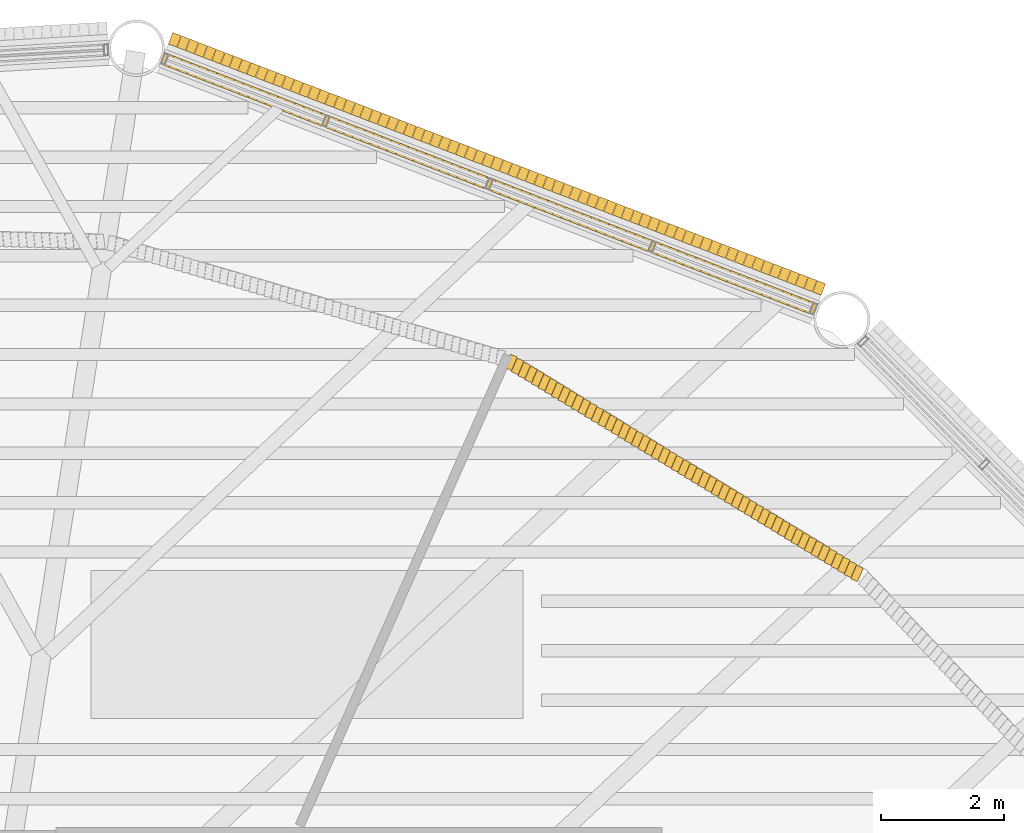
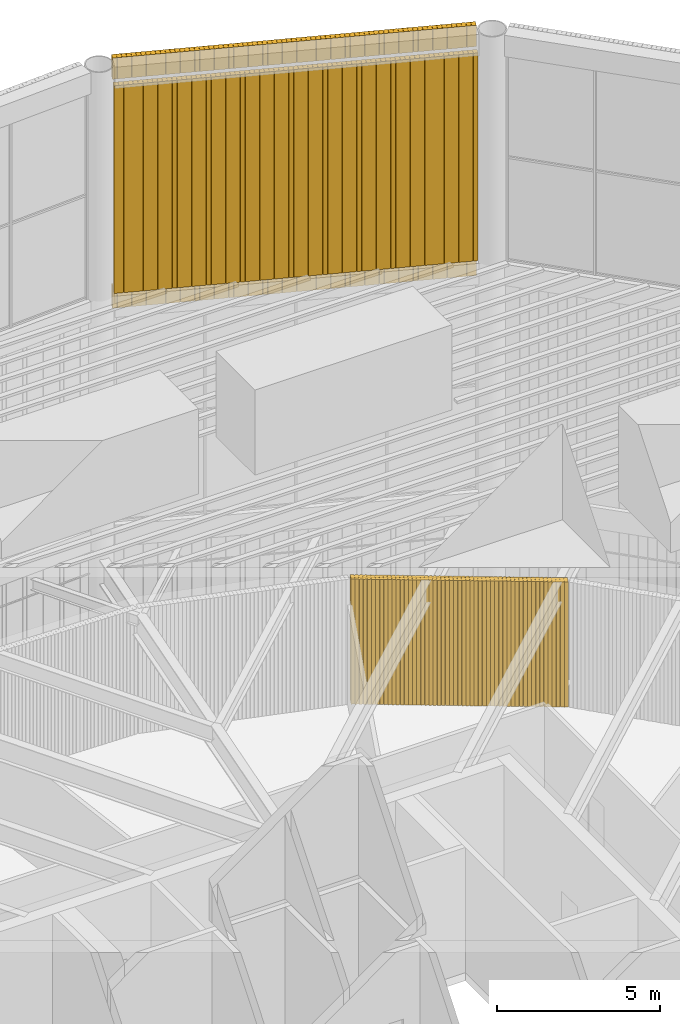
# One storey, part 107 of 117: 3 coverings, 1 shading device.
"""IFC4 building model written with IfcOpenShell, lengths in metres."""

from ifc_helpers import new_model, si_unit, direction, frame, frame_2d, origin, place, context, subcontext, project, spatial, rectangle, composite_profile, extrude, material, type_object, element, save


model = new_model("IFC4")

# Units and contexts
model_context = context("Model", 3, precision=1e-05, world=origin(), true_north=direction((0.0, 1.0)))
body_context = subcontext(model_context, "Body", "Model", "MODEL_VIEW")
ifc_project = project(units=[si_unit("LENGTHUNIT", "METRE"), si_unit("AREAUNIT", "SQUARE_METRE"), si_unit("VOLUMEUNIT", "CUBIC_METRE"), si_unit("PLANEANGLEUNIT", "RADIAN"), si_unit("MASSUNIT", "GRAM", prefix="KILO")], contexts=[model_context])

# Site, building, storey
site_placement = place(None, origin())
site = spatial("IfcSite", under=ifc_project, at=site_placement, CompositionType="ELEMENT")
building_placement = place(site_placement, origin())
building = spatial("IfcBuilding", under=site, at=building_placement, Name="Tarsis Ring Headquarters", CompositionType="ELEMENT")
storey_placement = place(building_placement, frame((0.0, 0.0, 403.60009765625)))
storey = spatial("IfcBuildingStorey", under=building, at=storey_placement, Name="L95", CompositionType="ELEMENT", Elevation=403.60009765625)

# Coverings
ifc_material_1 = material(Name="Terracotta louvre", Category="masonry")
covering_type = type_object("IfcCoveringType", Name="Crown louvre fin", PredefinedType="CLADDING", material=ifc_material_1)
covering_1_placement = place(storey_placement, frame((15.61474609375, 24.791259765625, 13.599853515625), z_axis=(0.0, 0.0, 1.0), x_axis=(-0.933251486172, 0.359201344017, 0.0)))
element("IfcCovering", 1, at=covering_1_placement, inside=storey, type_object=covering_type, Name="Crown louvre fascia M9", PredefinedType="CLADDING", context=body_context, shape_type="SweptSolid", body=[
    extrude(composite_profile([rectangle(XDim=0.14501953125, YDim=0.199951171875, at=frame_2d((0.072509765625, 0.0))), rectangle(XDim=0.14501953125, YDim=0.199951171875, at=frame_2d((0.2236328125, 0.0))), rectangle(XDim=0.14501953125, YDim=0.199951171875, at=frame_2d((0.375, 0.0))), rectangle(XDim=0.14501953125, YDim=0.199951171875, at=frame_2d((0.526123046875, 0.0))), rectangle(XDim=0.14501953125, YDim=0.199951171875, at=frame_2d((0.677490234375, 0.0))), rectangle(XDim=0.14501953125, YDim=0.199951171875, at=frame_2d((0.82861328125, 0.0))), rectangle(XDim=0.14501953125, YDim=0.199951171875, at=frame_2d((0.979736328125, 0.0))), rectangle(XDim=0.14501953125, YDim=0.199951171875, at=frame_2d((1.131103515625, 0.0))), rectangle(XDim=0.14501953125, YDim=0.199951171875, at=frame_2d((1.2822265625, 0.0))), rectangle(XDim=0.14501953125, YDim=0.199951171875, at=frame_2d((1.433349609375, 0.0))), rectangle(XDim=0.14501953125, YDim=0.199951171875, at=frame_2d((1.584716796875, 0.0))), rectangle(XDim=0.14501953125, YDim=0.199951171875, at=frame_2d((1.73583984375, 0.0))), rectangle(XDim=0.14501953125, YDim=0.199951171875, at=frame_2d((1.88720703125, 0.0))), rectangle(XDim=0.14501953125, YDim=0.199951171875, at=frame_2d((2.038330078125, 0.0))), rectangle(XDim=0.14501953125, YDim=0.199951171875, at=frame_2d((2.189453125, 0.0))), rectangle(XDim=0.14501953125, YDim=0.199951171875, at=frame_2d((2.3408203125, 0.0))), rectangle(XDim=0.14501953125, YDim=0.199951171875, at=frame_2d((2.491943359375, 0.0))), rectangle(XDim=0.14501953125, YDim=0.199951171875, at=frame_2d((2.64306640625, 0.0))), rectangle(XDim=0.14501953125, YDim=0.199951171875, at=frame_2d((2.79443359375, 0.0))), rectangle(XDim=0.14501953125, YDim=0.199951171875, at=frame_2d((2.945556640625, 0.0))), rectangle(XDim=0.14501953125, YDim=0.199951171875, at=frame_2d((3.096923828125, 0.0))), rectangle(XDim=0.14501953125, YDim=0.199951171875, at=frame_2d((3.248046875, 0.0))), rectangle(XDim=0.14501953125, YDim=0.199951171875, at=frame_2d((3.399169921875, 0.0))), rectangle(XDim=0.14501953125, YDim=0.199951171875, at=frame_2d((3.550537109375, 0.0))), rectangle(XDim=0.14501953125, YDim=0.199951171875, at=frame_2d((3.70166015625, 0.0))), rectangle(XDim=0.14501953125, YDim=0.199951171875, at=frame_2d((3.852783203125, 0.0))), rectangle(XDim=0.14501953125, YDim=0.199951171875, at=frame_2d((4.004150390625, 0.0))), rectangle(XDim=0.14501953125, YDim=0.199951171875, at=frame_2d((4.1552734375, 0.0))), rectangle(XDim=0.14501953125, YDim=0.199951171875, at=frame_2d((4.306640625, 0.0))), rectangle(XDim=0.14501953125, YDim=0.199951171875, at=frame_2d((4.457763671875, 0.0))), rectangle(XDim=0.14501953125, YDim=0.199951171875, at=frame_2d((4.60888671875, 0.0))), rectangle(XDim=0.14501953125, YDim=0.199951171875, at=frame_2d((4.76025390625, 0.0))), rectangle(XDim=0.14501953125, YDim=0.199951171875, at=frame_2d((4.911376953125, 0.0))), rectangle(XDim=0.14501953125, YDim=0.199951171875, at=frame_2d((5.0625, 0.0))), rectangle(XDim=0.14501953125, YDim=0.199951171875, at=frame_2d((5.2138671875, 0.0))), rectangle(XDim=0.14501953125, YDim=0.199951171875, at=frame_2d((5.364990234375, 0.0))), rectangle(XDim=0.14501953125, YDim=0.199951171875, at=frame_2d((5.516357421875, 0.0))), rectangle(XDim=0.14501953125, YDim=0.199951171875, at=frame_2d((5.66748046875, 0.0))), rectangle(XDim=0.14501953125, YDim=0.199951171875, at=frame_2d((5.818603515625, 0.0))), rectangle(XDim=0.14501953125, YDim=0.199951171875, at=frame_2d((5.969970703125, 0.0))), rectangle(XDim=0.14501953125, YDim=0.199951171875, at=frame_2d((6.12109375, 0.0))), rectangle(XDim=0.14501953125, YDim=0.199951171875, at=frame_2d((6.2724609375, 0.0))), rectangle(XDim=0.14501953125, YDim=0.199951171875, at=frame_2d((6.423583984375, 0.0))), rectangle(XDim=0.14501953125, YDim=0.199951171875, at=frame_2d((6.57470703125, 0.0))), rectangle(XDim=0.14501953125, YDim=0.199951171875, at=frame_2d((6.72607421875, 0.0))), rectangle(XDim=0.14501953125, YDim=0.199951171875, at=frame_2d((6.877197265625, 0.0))), rectangle(XDim=0.14501953125, YDim=0.199951171875, at=frame_2d((7.0283203125, 0.0))), rectangle(XDim=0.14501953125, YDim=0.199951171875, at=frame_2d((7.1796875, 0.0))), rectangle(XDim=0.14501953125, YDim=0.199951171875, at=frame_2d((7.330810546875, 0.0))), rectangle(XDim=0.14501953125, YDim=0.199951171875, at=frame_2d((7.482177734375, 0.0))), rectangle(XDim=0.14501953125, YDim=0.199951171875, at=frame_2d((7.63330078125, 0.0))), rectangle(XDim=0.14501953125, YDim=0.199951171875, at=frame_2d((7.784423828125, 0.0))), rectangle(XDim=0.14501953125, YDim=0.199951171875, at=frame_2d((7.935791015625, 0.0))), rectangle(XDim=0.14501953125, YDim=0.199951171875, at=frame_2d((8.0869140625, 0.0))), rectangle(XDim=0.14501953125, YDim=0.199951171875, at=frame_2d((8.238037109375, 0.0))), rectangle(XDim=0.14501953125, YDim=0.199951171875, at=frame_2d((8.389404296875, 0.0))), rectangle(XDim=0.14501953125, YDim=0.199951171875, at=frame_2d((8.54052734375, 0.0))), rectangle(XDim=0.14501953125, YDim=0.199951171875, at=frame_2d((8.69189453125, 0.0))), rectangle(XDim=0.14501953125, YDim=0.199951171875, at=frame_2d((8.843017578125, 0.0))), rectangle(XDim=0.14501953125, YDim=0.199951171875, at=frame_2d((8.994140625, 0.0))), rectangle(XDim=0.14501953125, YDim=0.199951171875, at=frame_2d((9.1455078125, 0.0))), rectangle(XDim=0.14501953125, YDim=0.199951171875, at=frame_2d((9.296630859375, 0.0))), rectangle(XDim=0.14501953125, YDim=0.199951171875, at=frame_2d((9.44775390625, 0.0))), rectangle(XDim=0.14501953125, YDim=0.199951171875, at=frame_2d((9.59912109375, 0.0))), rectangle(XDim=0.14501953125, YDim=0.199951171875, at=frame_2d((9.750244140625, 0.0))), rectangle(XDim=0.14501953125, YDim=0.199951171875, at=frame_2d((9.901611328125, 0.0))), rectangle(XDim=0.14501953125, YDim=0.199951171875, at=frame_2d((10.052734375, 0.0))), rectangle(XDim=0.14501953125, YDim=0.199951171875, at=frame_2d((10.203857421875, 0.0))), rectangle(XDim=0.14501953125, YDim=0.199951171875, at=frame_2d((10.355224609375, 0.0))), rectangle(XDim=0.14501953125, YDim=0.199951171875, at=frame_2d((10.50634765625, 0.0))), rectangle(XDim=0.14501953125, YDim=0.199951171875, at=frame_2d((10.657470703125, 0.0))), rectangle(XDim=0.14501953125, YDim=0.199951171875, at=frame_2d((10.808837890625, 0.0))), rectangle(XDim=0.14501953125, YDim=0.199951171875, at=frame_2d((10.9599609375, 0.0))), rectangle(XDim=0.14501953125, YDim=0.199951171875, at=frame_2d((11.111328125, 0.0))), rectangle(XDim=0.14501953125, YDim=0.199951171875, at=frame_2d((11.262451171875, 0.0)))]), origin(), (0.0, 0.0, 1.0), 0.800048828125),
])
covering_2_placement = place(storey_placement, frame((15.61474609375, 24.791259765625, 22.199951171875), z_axis=(0.0, 0.0, 1.0), x_axis=(-0.933251486172, 0.359201344017, 0.0)))
element("IfcCovering", 2, at=covering_2_placement, inside=storey, type_object=covering_type, Name="Crown louvre fascia T9", PredefinedType="CLADDING", context=body_context, shape_type="SweptSolid", body=[
    extrude(composite_profile([rectangle(XDim=0.14501953125, YDim=0.199951171875, at=frame_2d((0.072509765625, 0.0))), rectangle(XDim=0.14501953125, YDim=0.199951171875, at=frame_2d((0.2236328125, 0.0))), rectangle(XDim=0.14501953125, YDim=0.199951171875, at=frame_2d((0.375, 0.0))), rectangle(XDim=0.14501953125, YDim=0.199951171875, at=frame_2d((0.526123046875, 0.0))), rectangle(XDim=0.14501953125, YDim=0.199951171875, at=frame_2d((0.677490234375, 0.0))), rectangle(XDim=0.14501953125, YDim=0.199951171875, at=frame_2d((0.82861328125, 0.0))), rectangle(XDim=0.14501953125, YDim=0.199951171875, at=frame_2d((0.979736328125, 0.0))), rectangle(XDim=0.14501953125, YDim=0.199951171875, at=frame_2d((1.131103515625, 0.0))), rectangle(XDim=0.14501953125, YDim=0.199951171875, at=frame_2d((1.2822265625, 0.0))), rectangle(XDim=0.14501953125, YDim=0.199951171875, at=frame_2d((1.433349609375, 0.0))), rectangle(XDim=0.14501953125, YDim=0.199951171875, at=frame_2d((1.584716796875, 0.0))), rectangle(XDim=0.14501953125, YDim=0.199951171875, at=frame_2d((1.73583984375, 0.0))), rectangle(XDim=0.14501953125, YDim=0.199951171875, at=frame_2d((1.88720703125, 0.0))), rectangle(XDim=0.14501953125, YDim=0.199951171875, at=frame_2d((2.038330078125, 0.0))), rectangle(XDim=0.14501953125, YDim=0.199951171875, at=frame_2d((2.189453125, 0.0))), rectangle(XDim=0.14501953125, YDim=0.199951171875, at=frame_2d((2.3408203125, 0.0))), rectangle(XDim=0.14501953125, YDim=0.199951171875, at=frame_2d((2.491943359375, 0.0))), rectangle(XDim=0.14501953125, YDim=0.199951171875, at=frame_2d((2.64306640625, 0.0))), rectangle(XDim=0.14501953125, YDim=0.199951171875, at=frame_2d((2.79443359375, 0.0))), rectangle(XDim=0.14501953125, YDim=0.199951171875, at=frame_2d((2.945556640625, 0.0))), rectangle(XDim=0.14501953125, YDim=0.199951171875, at=frame_2d((3.096923828125, 0.0))), rectangle(XDim=0.14501953125, YDim=0.199951171875, at=frame_2d((3.248046875, 0.0))), rectangle(XDim=0.14501953125, YDim=0.199951171875, at=frame_2d((3.399169921875, 0.0))), rectangle(XDim=0.14501953125, YDim=0.199951171875, at=frame_2d((3.550537109375, 0.0))), rectangle(XDim=0.14501953125, YDim=0.199951171875, at=frame_2d((3.70166015625, 0.0))), rectangle(XDim=0.14501953125, YDim=0.199951171875, at=frame_2d((3.852783203125, 0.0))), rectangle(XDim=0.14501953125, YDim=0.199951171875, at=frame_2d((4.004150390625, 0.0))), rectangle(XDim=0.14501953125, YDim=0.199951171875, at=frame_2d((4.1552734375, 0.0))), rectangle(XDim=0.14501953125, YDim=0.199951171875, at=frame_2d((4.306640625, 0.0))), rectangle(XDim=0.14501953125, YDim=0.199951171875, at=frame_2d((4.457763671875, 0.0))), rectangle(XDim=0.14501953125, YDim=0.199951171875, at=frame_2d((4.60888671875, 0.0))), rectangle(XDim=0.14501953125, YDim=0.199951171875, at=frame_2d((4.76025390625, 0.0))), rectangle(XDim=0.14501953125, YDim=0.199951171875, at=frame_2d((4.911376953125, 0.0))), rectangle(XDim=0.14501953125, YDim=0.199951171875, at=frame_2d((5.0625, 0.0))), rectangle(XDim=0.14501953125, YDim=0.199951171875, at=frame_2d((5.2138671875, 0.0))), rectangle(XDim=0.14501953125, YDim=0.199951171875, at=frame_2d((5.364990234375, 0.0))), rectangle(XDim=0.14501953125, YDim=0.199951171875, at=frame_2d((5.516357421875, 0.0))), rectangle(XDim=0.14501953125, YDim=0.199951171875, at=frame_2d((5.66748046875, 0.0))), rectangle(XDim=0.14501953125, YDim=0.199951171875, at=frame_2d((5.818603515625, 0.0))), rectangle(XDim=0.14501953125, YDim=0.199951171875, at=frame_2d((5.969970703125, 0.0))), rectangle(XDim=0.14501953125, YDim=0.199951171875, at=frame_2d((6.12109375, 0.0))), rectangle(XDim=0.14501953125, YDim=0.199951171875, at=frame_2d((6.2724609375, 0.0))), rectangle(XDim=0.14501953125, YDim=0.199951171875, at=frame_2d((6.423583984375, 0.0))), rectangle(XDim=0.14501953125, YDim=0.199951171875, at=frame_2d((6.57470703125, 0.0))), rectangle(XDim=0.14501953125, YDim=0.199951171875, at=frame_2d((6.72607421875, 0.0))), rectangle(XDim=0.14501953125, YDim=0.199951171875, at=frame_2d((6.877197265625, 0.0))), rectangle(XDim=0.14501953125, YDim=0.199951171875, at=frame_2d((7.0283203125, 0.0))), rectangle(XDim=0.14501953125, YDim=0.199951171875, at=frame_2d((7.1796875, 0.0))), rectangle(XDim=0.14501953125, YDim=0.199951171875, at=frame_2d((7.330810546875, 0.0))), rectangle(XDim=0.14501953125, YDim=0.199951171875, at=frame_2d((7.482177734375, 0.0))), rectangle(XDim=0.14501953125, YDim=0.199951171875, at=frame_2d((7.63330078125, 0.0))), rectangle(XDim=0.14501953125, YDim=0.199951171875, at=frame_2d((7.784423828125, 0.0))), rectangle(XDim=0.14501953125, YDim=0.199951171875, at=frame_2d((7.935791015625, 0.0))), rectangle(XDim=0.14501953125, YDim=0.199951171875, at=frame_2d((8.0869140625, 0.0))), rectangle(XDim=0.14501953125, YDim=0.199951171875, at=frame_2d((8.238037109375, 0.0))), rectangle(XDim=0.14501953125, YDim=0.199951171875, at=frame_2d((8.389404296875, 0.0))), rectangle(XDim=0.14501953125, YDim=0.199951171875, at=frame_2d((8.54052734375, 0.0))), rectangle(XDim=0.14501953125, YDim=0.199951171875, at=frame_2d((8.69189453125, 0.0))), rectangle(XDim=0.14501953125, YDim=0.199951171875, at=frame_2d((8.843017578125, 0.0))), rectangle(XDim=0.14501953125, YDim=0.199951171875, at=frame_2d((8.994140625, 0.0))), rectangle(XDim=0.14501953125, YDim=0.199951171875, at=frame_2d((9.1455078125, 0.0))), rectangle(XDim=0.14501953125, YDim=0.199951171875, at=frame_2d((9.296630859375, 0.0))), rectangle(XDim=0.14501953125, YDim=0.199951171875, at=frame_2d((9.44775390625, 0.0))), rectangle(XDim=0.14501953125, YDim=0.199951171875, at=frame_2d((9.59912109375, 0.0))), rectangle(XDim=0.14501953125, YDim=0.199951171875, at=frame_2d((9.750244140625, 0.0))), rectangle(XDim=0.14501953125, YDim=0.199951171875, at=frame_2d((9.901611328125, 0.0))), rectangle(XDim=0.14501953125, YDim=0.199951171875, at=frame_2d((10.052734375, 0.0))), rectangle(XDim=0.14501953125, YDim=0.199951171875, at=frame_2d((10.203857421875, 0.0))), rectangle(XDim=0.14501953125, YDim=0.199951171875, at=frame_2d((10.355224609375, 0.0))), rectangle(XDim=0.14501953125, YDim=0.199951171875, at=frame_2d((10.50634765625, 0.0))), rectangle(XDim=0.14501953125, YDim=0.199951171875, at=frame_2d((10.657470703125, 0.0))), rectangle(XDim=0.14501953125, YDim=0.199951171875, at=frame_2d((10.808837890625, 0.0))), rectangle(XDim=0.14501953125, YDim=0.199951171875, at=frame_2d((10.9599609375, 0.0))), rectangle(XDim=0.14501953125, YDim=0.199951171875, at=frame_2d((11.111328125, 0.0))), rectangle(XDim=0.14501953125, YDim=0.199951171875, at=frame_2d((11.262451171875, 0.0)))]), origin(), (0.0, 0.0, 1.0), 0.800048828125),
])
covering_3_placement = place(storey_placement, frame((15.489013671875, 24.464599609375, 14.39990234375), z_axis=(0.0, 0.0, 1.0), x_axis=(-0.933251486172, 0.359201344017, 0.0)))
element("IfcCovering", 3, at=covering_3_placement, inside=storey, type_object=covering_type, Name="Crown louvre U9", PredefinedType="CLADDING", context=body_context, shape_type="SweptSolid", body=[
    extrude(composite_profile([rectangle(XDim=0.14501953125, YDim=0.199951171875, at=frame_2d((0.072509765625, 0.0))), rectangle(XDim=0.14501953125, YDim=0.199951171875, at=frame_2d((0.2236328125, 0.0))), rectangle(XDim=0.14501953125, YDim=0.199951171875, at=frame_2d((0.375, 0.0))), rectangle(XDim=0.14501953125, YDim=0.199951171875, at=frame_2d((0.526123046875, 0.0))), rectangle(XDim=0.14501953125, YDim=0.199951171875, at=frame_2d((0.677490234375, 0.0))), rectangle(XDim=0.14501953125, YDim=0.199951171875, at=frame_2d((0.82861328125, 0.0))), rectangle(XDim=0.14501953125, YDim=0.199951171875, at=frame_2d((0.979736328125, 0.0))), rectangle(XDim=0.14501953125, YDim=0.199951171875, at=frame_2d((1.131103515625, 0.0))), rectangle(XDim=0.14501953125, YDim=0.199951171875, at=frame_2d((1.2822265625, 0.0))), rectangle(XDim=0.14501953125, YDim=0.199951171875, at=frame_2d((1.433349609375, 0.0))), rectangle(XDim=0.14501953125, YDim=0.199951171875, at=frame_2d((1.584716796875, 0.0))), rectangle(XDim=0.14501953125, YDim=0.199951171875, at=frame_2d((1.73583984375, 0.0))), rectangle(XDim=0.14501953125, YDim=0.199951171875, at=frame_2d((1.88720703125, 0.0))), rectangle(XDim=0.14501953125, YDim=0.199951171875, at=frame_2d((2.038330078125, 0.0))), rectangle(XDim=0.14501953125, YDim=0.199951171875, at=frame_2d((2.189453125, 0.0))), rectangle(XDim=0.14501953125, YDim=0.199951171875, at=frame_2d((2.3408203125, 0.0))), rectangle(XDim=0.14501953125, YDim=0.199951171875, at=frame_2d((2.491943359375, 0.0))), rectangle(XDim=0.14501953125, YDim=0.199951171875, at=frame_2d((2.64306640625, 0.0))), rectangle(XDim=0.14501953125, YDim=0.199951171875, at=frame_2d((2.79443359375, 0.0))), rectangle(XDim=0.14501953125, YDim=0.199951171875, at=frame_2d((2.945556640625, 0.0))), rectangle(XDim=0.14501953125, YDim=0.199951171875, at=frame_2d((3.096923828125, 0.0))), rectangle(XDim=0.14501953125, YDim=0.199951171875, at=frame_2d((3.248046875, 0.0))), rectangle(XDim=0.14501953125, YDim=0.199951171875, at=frame_2d((3.399169921875, 0.0))), rectangle(XDim=0.14501953125, YDim=0.199951171875, at=frame_2d((3.550537109375, 0.0))), rectangle(XDim=0.14501953125, YDim=0.199951171875, at=frame_2d((3.70166015625, 0.0))), rectangle(XDim=0.14501953125, YDim=0.199951171875, at=frame_2d((3.852783203125, 0.0))), rectangle(XDim=0.14501953125, YDim=0.199951171875, at=frame_2d((4.004150390625, 0.0))), rectangle(XDim=0.14501953125, YDim=0.199951171875, at=frame_2d((4.1552734375, 0.0))), rectangle(XDim=0.14501953125, YDim=0.199951171875, at=frame_2d((4.306640625, 0.0))), rectangle(XDim=0.14501953125, YDim=0.199951171875, at=frame_2d((4.457763671875, 0.0))), rectangle(XDim=0.14501953125, YDim=0.199951171875, at=frame_2d((4.60888671875, 0.0))), rectangle(XDim=0.14501953125, YDim=0.199951171875, at=frame_2d((4.76025390625, 0.0))), rectangle(XDim=0.14501953125, YDim=0.199951171875, at=frame_2d((4.911376953125, 0.0))), rectangle(XDim=0.14501953125, YDim=0.199951171875, at=frame_2d((5.0625, 0.0))), rectangle(XDim=0.14501953125, YDim=0.199951171875, at=frame_2d((5.2138671875, 0.0))), rectangle(XDim=0.14501953125, YDim=0.199951171875, at=frame_2d((5.364990234375, 0.0))), rectangle(XDim=0.14501953125, YDim=0.199951171875, at=frame_2d((5.516357421875, 0.0))), rectangle(XDim=0.14501953125, YDim=0.199951171875, at=frame_2d((5.66748046875, 0.0))), rectangle(XDim=0.14501953125, YDim=0.199951171875, at=frame_2d((5.818603515625, 0.0))), rectangle(XDim=0.14501953125, YDim=0.199951171875, at=frame_2d((5.969970703125, 0.0))), rectangle(XDim=0.14501953125, YDim=0.199951171875, at=frame_2d((6.12109375, 0.0))), rectangle(XDim=0.14501953125, YDim=0.199951171875, at=frame_2d((6.2724609375, 0.0))), rectangle(XDim=0.14501953125, YDim=0.199951171875, at=frame_2d((6.423583984375, 0.0))), rectangle(XDim=0.14501953125, YDim=0.199951171875, at=frame_2d((6.57470703125, 0.0))), rectangle(XDim=0.14501953125, YDim=0.199951171875, at=frame_2d((6.72607421875, 0.0))), rectangle(XDim=0.14501953125, YDim=0.199951171875, at=frame_2d((6.877197265625, 0.0))), rectangle(XDim=0.14501953125, YDim=0.199951171875, at=frame_2d((7.0283203125, 0.0))), rectangle(XDim=0.14501953125, YDim=0.199951171875, at=frame_2d((7.1796875, 0.0))), rectangle(XDim=0.14501953125, YDim=0.199951171875, at=frame_2d((7.330810546875, 0.0))), rectangle(XDim=0.14501953125, YDim=0.199951171875, at=frame_2d((7.482177734375, 0.0))), rectangle(XDim=0.14501953125, YDim=0.199951171875, at=frame_2d((7.63330078125, 0.0))), rectangle(XDim=0.14501953125, YDim=0.199951171875, at=frame_2d((7.784423828125, 0.0))), rectangle(XDim=0.14501953125, YDim=0.199951171875, at=frame_2d((7.935791015625, 0.0))), rectangle(XDim=0.14501953125, YDim=0.199951171875, at=frame_2d((8.0869140625, 0.0))), rectangle(XDim=0.14501953125, YDim=0.199951171875, at=frame_2d((8.238037109375, 0.0))), rectangle(XDim=0.14501953125, YDim=0.199951171875, at=frame_2d((8.389404296875, 0.0))), rectangle(XDim=0.14501953125, YDim=0.199951171875, at=frame_2d((8.54052734375, 0.0))), rectangle(XDim=0.14501953125, YDim=0.199951171875, at=frame_2d((8.69189453125, 0.0))), rectangle(XDim=0.14501953125, YDim=0.199951171875, at=frame_2d((8.843017578125, 0.0))), rectangle(XDim=0.14501953125, YDim=0.199951171875, at=frame_2d((8.994140625, 0.0))), rectangle(XDim=0.14501953125, YDim=0.199951171875, at=frame_2d((9.1455078125, 0.0))), rectangle(XDim=0.14501953125, YDim=0.199951171875, at=frame_2d((9.296630859375, 0.0))), rectangle(XDim=0.14501953125, YDim=0.199951171875, at=frame_2d((9.44775390625, 0.0))), rectangle(XDim=0.14501953125, YDim=0.199951171875, at=frame_2d((9.59912109375, 0.0))), rectangle(XDim=0.14501953125, YDim=0.199951171875, at=frame_2d((9.750244140625, 0.0))), rectangle(XDim=0.14501953125, YDim=0.199951171875, at=frame_2d((9.901611328125, 0.0))), rectangle(XDim=0.14501953125, YDim=0.199951171875, at=frame_2d((10.052734375, 0.0))), rectangle(XDim=0.14501953125, YDim=0.199951171875, at=frame_2d((10.203857421875, 0.0))), rectangle(XDim=0.14501953125, YDim=0.199951171875, at=frame_2d((10.355224609375, 0.0))), rectangle(XDim=0.14501953125, YDim=0.199951171875, at=frame_2d((10.50634765625, 0.0))), rectangle(XDim=0.14501953125, YDim=0.199951171875, at=frame_2d((10.657470703125, 0.0))), rectangle(XDim=0.14501953125, YDim=0.199951171875, at=frame_2d((10.808837890625, 0.0))), rectangle(XDim=0.14501953125, YDim=0.199951171875, at=frame_2d((10.9599609375, 0.0))), rectangle(XDim=0.14501953125, YDim=0.199951171875, at=frame_2d((11.111328125, 0.0))), rectangle(XDim=0.14501953125, YDim=0.199951171875, at=frame_2d((11.262451171875, 0.0)))]), origin(), (0.0, 0.0, 1.0), 7.800048828125),
])

# Shading device
ifc_material_2 = material(Name="Aluminium louvre", Category="aluminium")
shading_device_type = type_object("IfcShadingDeviceType", Name="Plant louvre fin", PredefinedType="USERDEFINED", material=ifc_material_2)
shading_device_placement = place(storey_placement, frame((16.226806640625, 20.150390625, 0.0), z_axis=(0.0, 0.0, 1.0), x_axis=(-0.85373383699, 0.520703181752, 0.0)))
element("IfcShadingDevice", 4, at=shading_device_placement, inside=storey, type_object=shading_device_type, Name="Louvre L95-22", ObjectType="Louvre", PredefinedType="USERDEFINED", context=body_context, shape_type="SweptSolid", body=[
    extrude(composite_profile([rectangle(XDim=0.1201171875, YDim=0.239990234375, at=frame_2d((0.076171875, 0.0), x_axis=(0.990268068742, 0.13917310096))), rectangle(XDim=0.1201171875, YDim=0.239990234375, at=frame_2d((0.202392578125, 0.0), x_axis=(0.990268068742, 0.13917310096))), rectangle(XDim=0.1201171875, YDim=0.239990234375, at=frame_2d((0.328857421875, 0.0), x_axis=(0.990268068742, 0.13917310096))), rectangle(XDim=0.1201171875, YDim=0.239990234375, at=frame_2d((0.455078125, 0.0), x_axis=(0.990268068742, 0.13917310096))), rectangle(XDim=0.1201171875, YDim=0.239990234375, at=frame_2d((0.58154296875, 0.0), x_axis=(0.990268068742, 0.13917310096))), rectangle(XDim=0.1201171875, YDim=0.239990234375, at=frame_2d((0.707763671875, 0.0), x_axis=(0.990268068742, 0.13917310096))), rectangle(XDim=0.1201171875, YDim=0.239990234375, at=frame_2d((0.834228515625, 0.0), x_axis=(0.990268068742, 0.13917310096))), rectangle(XDim=0.1201171875, YDim=0.239990234375, at=frame_2d((0.96044921875, 0.0), x_axis=(0.990268068742, 0.13917310096))), rectangle(XDim=0.1201171875, YDim=0.239990234375, at=frame_2d((1.0869140625, 0.0), x_axis=(0.990268068742, 0.13917310096))), rectangle(XDim=0.1201171875, YDim=0.239990234375, at=frame_2d((1.213134765625, 0.0), x_axis=(0.990268068742, 0.13917310096))), rectangle(XDim=0.1201171875, YDim=0.239990234375, at=frame_2d((1.339599609375, 0.0), x_axis=(0.990268068742, 0.13917310096))), rectangle(XDim=0.1201171875, YDim=0.239990234375, at=frame_2d((1.4658203125, 0.0), x_axis=(0.990268068742, 0.13917310096))), rectangle(XDim=0.1201171875, YDim=0.239990234375, at=frame_2d((1.59228515625, 0.0), x_axis=(0.990268068742, 0.13917310096))), rectangle(XDim=0.1201171875, YDim=0.239990234375, at=frame_2d((1.718505859375, 0.0), x_axis=(0.990268068742, 0.13917310096))), rectangle(XDim=0.1201171875, YDim=0.239990234375, at=frame_2d((1.8447265625, 0.0), x_axis=(0.990268068742, 0.13917310096))), rectangle(XDim=0.1201171875, YDim=0.239990234375, at=frame_2d((1.97119140625, 0.0), x_axis=(0.990268068742, 0.13917310096))), rectangle(XDim=0.1201171875, YDim=0.239990234375, at=frame_2d((2.097412109375, 0.0), x_axis=(0.990268068742, 0.13917310096))), rectangle(XDim=0.1201171875, YDim=0.239990234375, at=frame_2d((2.223876953125, 0.0), x_axis=(0.990268068742, 0.13917310096))), rectangle(XDim=0.1201171875, YDim=0.239990234375, at=frame_2d((2.35009765625, 0.0), x_axis=(0.990268068742, 0.13917310096))), rectangle(XDim=0.1201171875, YDim=0.239990234375, at=frame_2d((2.4765625, 0.0), x_axis=(0.990268068742, 0.13917310096))), rectangle(XDim=0.1201171875, YDim=0.239990234375, at=frame_2d((2.602783203125, 0.0), x_axis=(0.990268068742, 0.13917310096))), rectangle(XDim=0.1201171875, YDim=0.239990234375, at=frame_2d((2.729248046875, 0.0), x_axis=(0.990268068742, 0.13917310096))), rectangle(XDim=0.1201171875, YDim=0.239990234375, at=frame_2d((2.85546875, 0.0), x_axis=(0.990268068742, 0.13917310096))), rectangle(XDim=0.1201171875, YDim=0.239990234375, at=frame_2d((2.98193359375, 0.0), x_axis=(0.990268068742, 0.13917310096))), rectangle(XDim=0.1201171875, YDim=0.239990234375, at=frame_2d((3.108154296875, 0.0), x_axis=(0.990268068742, 0.13917310096))), rectangle(XDim=0.1201171875, YDim=0.239990234375, at=frame_2d((3.234619140625, 0.0), x_axis=(0.990268068742, 0.13917310096))), rectangle(XDim=0.1201171875, YDim=0.239990234375, at=frame_2d((3.36083984375, 0.0), x_axis=(0.990268068742, 0.13917310096))), rectangle(XDim=0.1201171875, YDim=0.239990234375, at=frame_2d((3.487060546875, 0.0), x_axis=(0.990268068742, 0.13917310096))), rectangle(XDim=0.1201171875, YDim=0.239990234375, at=frame_2d((3.613525390625, 0.0), x_axis=(0.990268068742, 0.13917310096))), rectangle(XDim=0.1201171875, YDim=0.239990234375, at=frame_2d((3.73974609375, 0.0), x_axis=(0.990268068742, 0.13917310096))), rectangle(XDim=0.1201171875, YDim=0.239990234375, at=frame_2d((3.8662109375, 0.0), x_axis=(0.990268068742, 0.13917310096))), rectangle(XDim=0.1201171875, YDim=0.239990234375, at=frame_2d((3.992431640625, 0.0), x_axis=(0.990268068742, 0.13917310096))), rectangle(XDim=0.1201171875, YDim=0.239990234375, at=frame_2d((4.118896484375, 0.0), x_axis=(0.990268068742, 0.13917310096))), rectangle(XDim=0.1201171875, YDim=0.239990234375, at=frame_2d((4.2451171875, 0.0), x_axis=(0.990268068742, 0.13917310096))), rectangle(XDim=0.1201171875, YDim=0.239990234375, at=frame_2d((4.37158203125, 0.0), x_axis=(0.990268068742, 0.13917310096))), rectangle(XDim=0.1201171875, YDim=0.239990234375, at=frame_2d((4.497802734375, 0.0), x_axis=(0.990268068742, 0.13917310096))), rectangle(XDim=0.1201171875, YDim=0.239990234375, at=frame_2d((4.624267578125, 0.0), x_axis=(0.990268068742, 0.13917310096))), rectangle(XDim=0.1201171875, YDim=0.239990234375, at=frame_2d((4.75048828125, 0.0), x_axis=(0.990268068742, 0.13917310096))), rectangle(XDim=0.1201171875, YDim=0.239990234375, at=frame_2d((4.876953125, 0.0), x_axis=(0.990268068742, 0.13917310096))), rectangle(XDim=0.1201171875, YDim=0.239990234375, at=frame_2d((5.003173828125, 0.0), x_axis=(0.990268068742, 0.13917310096))), rectangle(XDim=0.1201171875, YDim=0.239990234375, at=frame_2d((5.12939453125, 0.0), x_axis=(0.990268068742, 0.13917310096))), rectangle(XDim=0.1201171875, YDim=0.239990234375, at=frame_2d((5.255859375, 0.0), x_axis=(0.990268068742, 0.13917310096))), rectangle(XDim=0.1201171875, YDim=0.239990234375, at=frame_2d((5.382080078125, 0.0), x_axis=(0.990268068742, 0.13917310096))), rectangle(XDim=0.1201171875, YDim=0.239990234375, at=frame_2d((5.508544921875, 0.0), x_axis=(0.990268068742, 0.13917310096))), rectangle(XDim=0.1201171875, YDim=0.239990234375, at=frame_2d((5.634765625, 0.0), x_axis=(0.990268068742, 0.13917310096))), rectangle(XDim=0.1201171875, YDim=0.239990234375, at=frame_2d((5.76123046875, 0.0), x_axis=(0.990268068742, 0.13917310096))), rectangle(XDim=0.1201171875, YDim=0.239990234375, at=frame_2d((5.887451171875, 0.0), x_axis=(0.990268068742, 0.13917310096))), rectangle(XDim=0.1201171875, YDim=0.239990234375, at=frame_2d((6.013916015625, 0.0), x_axis=(0.990268068742, 0.13917310096))), rectangle(XDim=0.1201171875, YDim=0.239990234375, at=frame_2d((6.14013671875, 0.0), x_axis=(0.990268068742, 0.13917310096))), rectangle(XDim=0.1201171875, YDim=0.239990234375, at=frame_2d((6.2666015625, 0.0), x_axis=(0.990268068742, 0.13917310096))), rectangle(XDim=0.1201171875, YDim=0.239990234375, at=frame_2d((6.392822265625, 0.0), x_axis=(0.990268068742, 0.13917310096))), rectangle(XDim=0.1201171875, YDim=0.239990234375, at=frame_2d((6.519287109375, 0.0), x_axis=(0.990268068742, 0.13917310096))), rectangle(XDim=0.1201171875, YDim=0.239990234375, at=frame_2d((6.6455078125, 0.0), x_axis=(0.990268068742, 0.13917310096)))]), origin(), (0.0, 0.0, 1.0), 4.699951171875),
])

save(model, "model.ifc")
